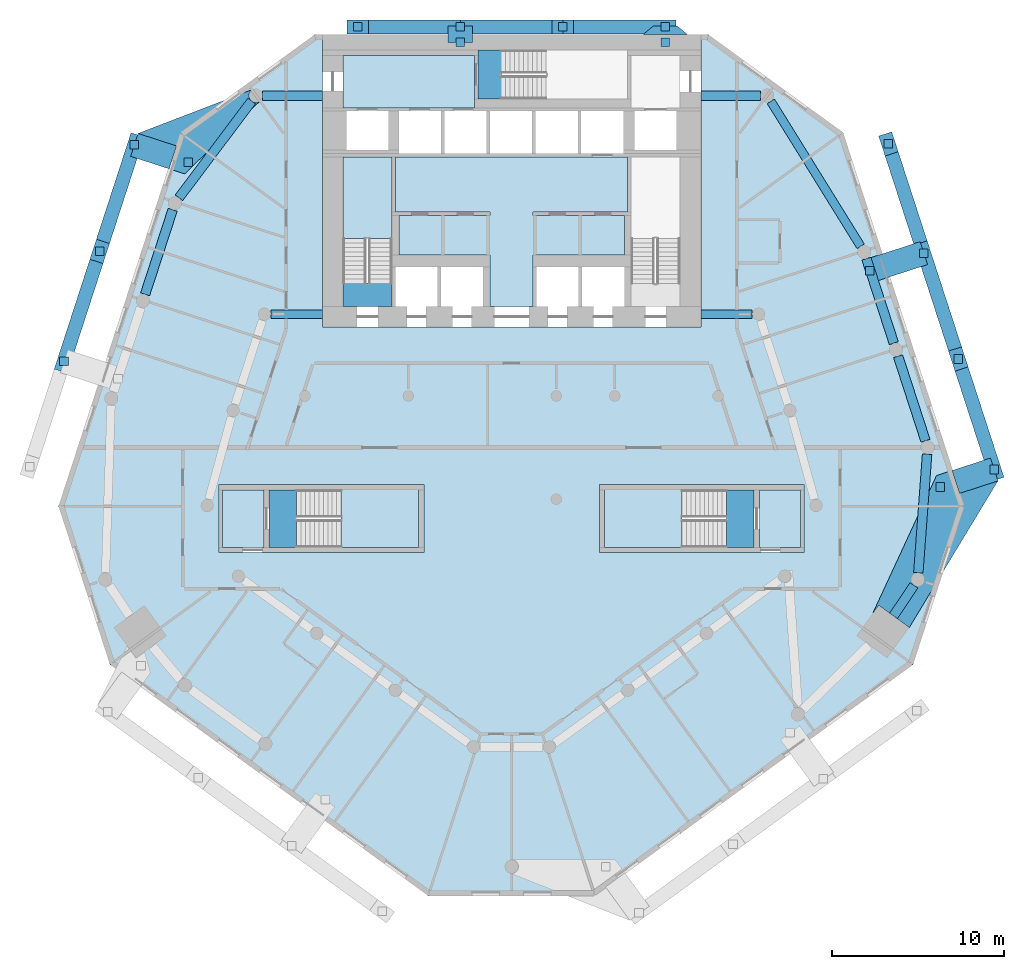
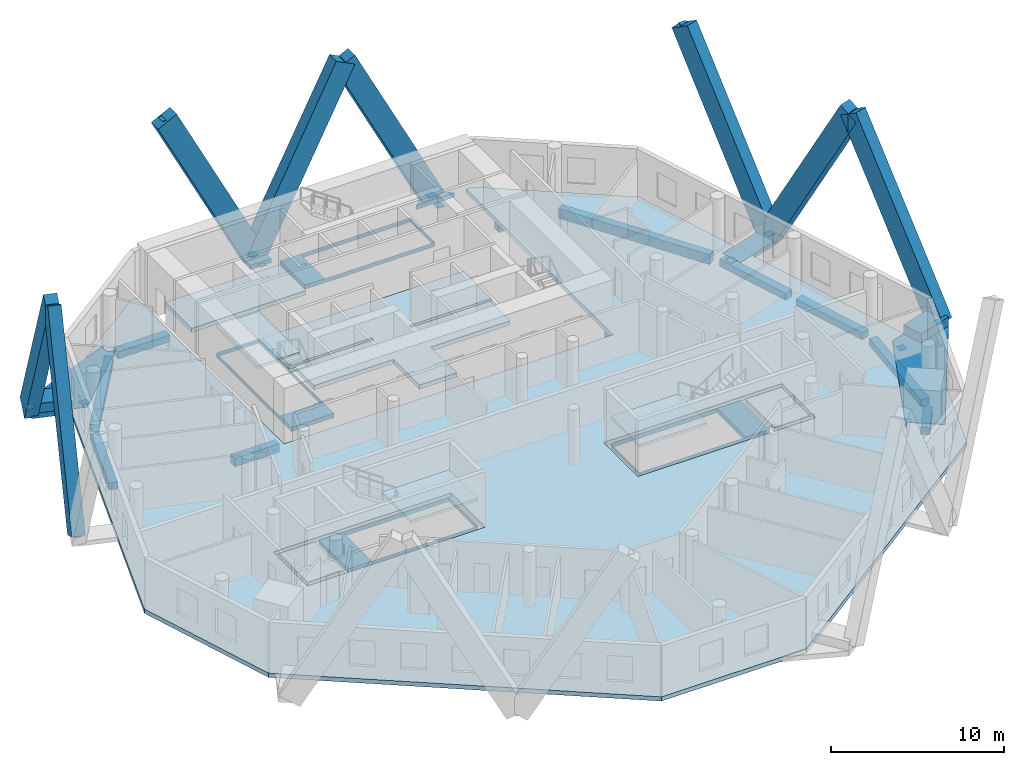
# One storey, part 2 of 10: 16 discrete accessories, 15 members, 12 slabs, 11 beams, 3 elements without a shape of their own.
"""IFC4 building model written with IfcOpenShell, lengths in metres."""

import ifcopenshell
import ifcopenshell.guid

model = None  # the IFC model being written
_history = None  # IfcOwnerHistory: only IFC2X3 demands one
_inside = {}  # id of a spatial element -> (the spatial element, [elements in it])
_under = {}  # id of a project, library or spatial element -> (it, [spatial elements below it])
_declared = {}  # id of a project -> (the project, [libraries it declares])
_typed = {}  # id of a type object -> (the type object, [elements of that type])
_made_of = {}  # id of a material, layer set ... -> (it, [elements and type objects made of it])


def new_model(schema):
    """Start an empty IFC model of exactly this schema.

    Asked for "IFC4X3", IfcOpenShell would pick the latest addendum, in which some entities
    have other attributes; the version numbers below select the first issue.
    IFC2X3 requires an IfcOwnerHistory on every rooted entity: one is made here for all.
    """
    global model, _history
    if schema == "IFC4X3":
        model = ifcopenshell.file(schema_version=(4, 3, 0, 0))
    else:
        model = ifcopenshell.file(schema=schema)
    _inside.clear()
    _under.clear()
    _declared.clear()
    _typed.clear()
    _made_of.clear()
    _history = None
    if model.schema == "IFC2X3":
        org = make("IfcOrganization", Name="unknown")
        user = make(
            "IfcPersonAndOrganization",
            ThePerson=make("IfcPerson", FamilyName="unknown"),
            TheOrganization=org,
        )
        app = make(
            "IfcApplication",
            ApplicationDeveloper=org,
            Version="unknown",
            ApplicationFullName="unknown",
            ApplicationIdentifier="unknown",
        )
        _history = make(
            "IfcOwnerHistory",
            OwningUser=user,
            OwningApplication=app,
            ChangeAction="ADDED",
            CreationDate=0,
        )
    return model


def make(cls, **values):
    """One entity of the class cls with the attributes given. An attribute that is None is left unset."""
    return model.create_entity(
        cls, **{name: value for name, value in values.items() if value is not None}
    )


def rooted(cls, **values):
    """An entity with a GlobalId (a new one), such as an element, a storey or a relation."""
    return make(cls, GlobalId=ifcopenshell.guid.new(), OwnerHistory=_history, **values)


def si_unit(unit_type, name, prefix=None):
    """IfcSIUnit, for example si_unit("LENGTHUNIT", "METRE", prefix="MILLI")."""
    return make("IfcSIUnit", UnitType=unit_type, Prefix=prefix, Name=name)


def assignment(units):
    """IfcUnitAssignment: the units of a project."""
    return None if units is None else make("IfcUnitAssignment", Units=units)


def point(xyz):
    """IfcCartesianPoint."""
    return None if xyz is None else make("IfcCartesianPoint", Coordinates=xyz)


def direction(xyz):
    """IfcDirection."""
    return None if xyz is None else make("IfcDirection", DirectionRatios=xyz)


def frame(location, z_axis=None, x_axis=None):
    """IfcAxis2Placement3D, a coordinate frame: its origin and axes. An axis left out is left unset."""
    return make(
        "IfcAxis2Placement3D",
        Location=point(location),
        Axis=direction(z_axis),
        RefDirection=direction(x_axis),
    )


def frame_2d(location, x_axis=None):
    """IfcAxis2Placement2D, a coordinate frame in the plane: its origin and x axis."""
    return make(
        "IfcAxis2Placement2D", Location=point(location), RefDirection=direction(x_axis)
    )


def origin():
    """The frame at (0, 0, 0) with its axes left unset."""
    return frame((0.0, 0.0, 0.0))


def origin_2d():
    """The frame at (0, 0) in the plane with its x axis left unset."""
    return frame_2d((0.0, 0.0))


def place(relative_to, where):
    """IfcLocalPlacement: puts the frame where relative to a parent placement (None: the world)."""
    return make(
        "IfcLocalPlacement", PlacementRelTo=relative_to, RelativePlacement=where
    )


def context(
    kind, dimensions, precision=None, world=None, true_north=None, identifier=None
):
    """IfcGeometricRepresentationContext, for example the 3D "Model" context."""
    return make(
        "IfcGeometricRepresentationContext",
        ContextIdentifier=identifier,
        ContextType=kind,
        CoordinateSpaceDimension=dimensions,
        Precision=precision,
        WorldCoordinateSystem=world,
        TrueNorth=true_north,
    )


def subcontext(parent, identifier, kind, view, scale=None):
    """IfcGeometricRepresentationSubContext, for example "Body" below "Model"."""
    return make(
        "IfcGeometricRepresentationSubContext",
        ContextIdentifier=identifier,
        ContextType=kind,
        ParentContext=parent,
        TargetScale=scale,
        TargetView=view,
    )


def project(units=None, contexts=None):
    """IfcProject with its units and contexts."""
    return rooted(
        "IfcProject",
        Name="project",
        RepresentationContexts=contexts,
        UnitsInContext=assignment(units),
    )


def spatial(cls, under=None, at=None, **own):
    """A site, building, storey or space (cls), placed at a placement, below another one or the project."""
    s = rooted(cls, ObjectPlacement=at, **own)
    if under is not None:
        _under.setdefault(under.id(), (under, []))[1].append(s)
    return s


def polyline(points):
    """IfcPolyline through the points."""
    return make("IfcPolyline", Points=[point(p) for p in points])


def profile(cls, at=None, kind="AREA", **sizes):
    """A parametric profile (cls). Its sizes go by their IFC names, for example OverallWidth=200.0."""
    return make(cls, ProfileType=kind, Position=at, **sizes)


def rectangle(**sizes):
    """IfcRectangleProfileDef."""
    return profile("IfcRectangleProfileDef", **sizes)


def outline(outer, holes=None, kind="AREA"):
    """IfcArbitraryClosedProfileDef: a profile drawn as a closed curve; with holes, ...WithVoids."""
    if holes is None:
        return make("IfcArbitraryClosedProfileDef", ProfileType=kind, OuterCurve=outer)
    return make(
        "IfcArbitraryProfileDefWithVoids",
        ProfileType=kind,
        OuterCurve=outer,
        InnerCurves=holes,
    )


def extrude(swept, where, along, depth):
    """IfcExtrudedAreaSolid: the profile swept, set in the frame where, extruded along a direction by depth."""
    return make(
        "IfcExtrudedAreaSolid",
        SweptArea=swept,
        Position=where,
        ExtrudedDirection=direction(along),
        Depth=depth,
    )


def shape(context_of_items, identifier, shape_type, items):
    """IfcShapeRepresentation: the items that make up one representation, for example the "Body"."""
    return make(
        "IfcShapeRepresentation",
        ContextOfItems=context_of_items,
        RepresentationIdentifier=identifier,
        RepresentationType=shape_type,
        Items=items,
    )


def material(Name=None, Category=None):
    """IfcMaterial."""
    return make("IfcMaterial", Name=Name, Category=Category)


def layer(
    of_material, thickness, ventilated=None, Name=None, Category=None, Priority=None
):
    """IfcMaterialLayer: one layer of a wall or slab, of a material (None: an air gap)."""
    return make(
        "IfcMaterialLayer",
        Material=of_material,
        LayerThickness=thickness,
        IsVentilated=ventilated,
        Name=Name,
        Category=Category,
        Priority=Priority,
    )


def layer_set(layers, Name=None):
    """IfcMaterialLayerSet."""
    return make("IfcMaterialLayerSet", MaterialLayers=layers, LayerSetName=Name)


def material_profile(
    of_material, cross_section, Name=None, Category=None, Priority=None
):
    """IfcMaterialProfile: a cross section and its material."""
    return make(
        "IfcMaterialProfile",
        Name=Name,
        Material=of_material,
        Profile=cross_section,
        Priority=Priority,
        Category=Category,
    )


def profile_set(profiles, Name=None, composite=None):
    """IfcMaterialProfileSet."""
    return make(
        "IfcMaterialProfileSet",
        Name=Name,
        MaterialProfiles=profiles,
        CompositeProfile=composite,
    )


def made_of(thing, what):
    """Note that an element or type object is made of a material, layer set ...; save() writes the relation."""
    if what is not None:
        _made_of.setdefault(what.id(), (what, []))[1].append(thing)
    return thing


def type_object(cls, material=None, **own):
    """A type object (cls), such as IfcWallType, which elements share."""
    return made_of(rooted(cls, **own), material)


def element(
    cls,
    number,
    at=None,
    inside=None,
    cuts=None,
    type_object=None,
    material=None,
    context=None,
    identifier="Body",
    shape_type=None,
    held_by="IfcProductDefinitionShape",
    body=None,
    shapes=None,
    **own,
):
    """One element of the class cls, such as IfcWall. Its Tag is "e" and its number.

    at: its placement. inside: the storey or other place that contains it. cuts: it is an
    opening in that element (IfcRelVoidsElement). A single representation is given by context,
    identifier, shape_type and body (its items); several are given by shapes. held_by: the class
    of the entity that holds the representations. save() writes the other relations.
    """
    e = rooted(cls, Tag="e%d" % number, ObjectPlacement=at, **own)
    if body is not None:
        shapes = [shape(context, identifier, shape_type, body)]
    if shapes is not None:
        e.Representation = make(held_by, Representations=shapes)
    if inside is not None:
        _inside.setdefault(inside.id(), (inside, []))[1].append(e)
    if cuts is not None:
        rooted(
            "IfcRelVoidsElement", RelatingBuildingElement=cuts, RelatedOpeningElement=e
        )
    if type_object is not None:
        _typed.setdefault(type_object.id(), (type_object, []))[1].append(e)
    return made_of(e, material)


def aggregate(whole, parts):
    """IfcRelAggregates: a whole, such as a stair, and the parts it consists of."""
    return rooted("IfcRelAggregates", RelatingObject=whole, RelatedObjects=parts)


def save(model, path):
    """Write the relations noted so far, then the file.

    IfcRelAggregates (storeys below a building ...), IfcRelContainedInSpatialStructure (elements
    in a storey), IfcRelDefinesByType, IfcRelAssociatesMaterial and IfcRelDeclares: one each for
    every whole, place, type object, material and project.
    """
    for whole, parts in _under.values():
        aggregate(whole, parts)
    for where, things in _inside.values():
        rooted(
            "IfcRelContainedInSpatialStructure",
            RelatedElements=things,
            RelatingStructure=where,
        )
    for kind, things in _typed.values():
        rooted("IfcRelDefinesByType", RelatedObjects=things, RelatingType=kind)
    for what, things in _made_of.values():
        rooted("IfcRelAssociatesMaterial", RelatedObjects=things, RelatingMaterial=what)
    for by, libraries in _declared.values():
        rooted("IfcRelDeclares", RelatingContext=by, RelatedDefinitions=libraries)
    model.write(path)


model = new_model("IFC4")

# Units and contexts
model_context = context("Model", 3, precision=1e-05, world=origin(), true_north=direction((0.0, 1.0)))
body_context = subcontext(model_context, "Body", "Model", "MODEL_VIEW")
ifc_project = project(units=[si_unit("LENGTHUNIT", "METRE"), si_unit("AREAUNIT", "SQUARE_METRE"), si_unit("VOLUMEUNIT", "CUBIC_METRE"), si_unit("PLANEANGLEUNIT", "RADIAN"), si_unit("MASSUNIT", "GRAM", prefix="KILO")], contexts=[model_context])

# Site, building, storey
site_placement = place(None, origin())
site = spatial("IfcSite", under=ifc_project, at=site_placement, CompositionType="ELEMENT")
building_placement = place(site_placement, origin())
building = spatial("IfcBuilding", under=site, at=building_placement, Name="White Candle Pilgrim Tower", CompositionType="ELEMENT")
storey_placement = place(building_placement, frame((0.0, 0.0, 42.89990234375)))
storey = spatial("IfcBuildingStorey", under=building, at=storey_placement, Name="L07", CompositionType="ELEMENT", Elevation=42.89990234375)

# Member
ifc_material_1 = material(Name="Concrete C80/95, white", Category="concrete")
ifc_material_profile_1 = material_profile(ifc_material_1, rectangle(XDim=0.800048828125, YDim=1.39990234375, at=origin_2d()), Name="RC-DG 800x1400")
ifc_profile_set_1 = profile_set([ifc_material_profile_1], Name="Concrete C80/95, white")
member_type_1 = type_object("IfcMemberType", Name="Exoskeleton diagonal RC-DG 800x1400 C80/95", PredefinedType="BRACE", material=ifc_profile_set_1)
member_1_placement = place(storey_placement, frame((78.93701171875, 88.449951171875, 0.0), z_axis=(-0.453776473678, 0.0, 0.891115543539), x_axis=(0.0, -1.0, 0.0)))
member_1 = element("IfcMember", 1, at=member_1_placement, inside=storey, type_object=member_type_1, Name="Exoskeleton diagonal EX001", PredefinedType="BRACE", context=body_context, shape_type="SweptSolid", body=[
    extrude(rectangle(XDim=0.800048828125, YDim=1.39990234375, at=origin_2d()), origin(), (0.0, 0.0, 1.0), 13.1298828125),
])

member_2_placement = place(storey_placement, frame((67.02099609375, 88.449951171875, 0.0), z_axis=(0.453776473678, 0.0, 0.891115543539), x_axis=(0.0, 1.0, 0.0)))
member_2 = element("IfcMember", 2, at=member_2_placement, inside=storey, type_object=member_type_1, Name="Exoskeleton diagonal EX002", PredefinedType="BRACE", context=body_context, shape_type="SweptSolid", body=[
    extrude(rectangle(XDim=0.800048828125, YDim=1.39990234375, at=origin_2d()), origin(), (0.0, 0.0, 1.0), 13.1298828125),
])

member_3_placement = place(storey_placement, frame((67.02099609375, 88.449951171875, 0.0), z_axis=(-0.453776473678, 0.0, 0.891115543539), x_axis=(0.0, -1.0, 0.0)))
member_3 = element("IfcMember", 3, at=member_3_placement, inside=storey, type_object=member_type_1, Name="Exoskeleton diagonal EX003", PredefinedType="BRACE", context=body_context, shape_type="SweptSolid", body=[
    extrude(rectangle(XDim=0.800048828125, YDim=1.39990234375, at=origin_2d()), origin(), (0.0, 0.0, 1.0), 13.1298828125),
])

member_4_placement = place(storey_placement, frame((98.05126953125, 62.728515625, 0.0), z_axis=(-0.154440795121, 0.475287254453, 0.866169767746), x_axis=(-0.951050279648, -0.309036188143, 0.0)))
member_4 = element("IfcMember", 4, at=member_4_placement, inside=storey, type_object=member_type_1, Name="Exoskeleton diagonal EX013", PredefinedType="BRACE", context=body_context, shape_type="SweptSolid", body=[
    extrude(rectangle(XDim=0.800048828125, YDim=1.39990234375, at=origin_2d()), origin(), (0.0, 0.0, 1.0), 13.508056640625),
])

member_5_placement = place(storey_placement, frame((93.965087890625, 75.304443359375, 0.0), z_axis=(0.149575631724, -0.460375973911, 0.875032052579), x_axis=(0.95106233847, 0.308999074988, 0.0)))
member_5 = element("IfcMember", 5, at=member_5_placement, inside=storey, type_object=member_type_1, Name="Exoskeleton diagonal EX014", PredefinedType="BRACE", context=body_context, shape_type="SweptSolid", body=[
    extrude(rectangle(XDim=0.800048828125, YDim=1.39990234375, at=origin_2d()), origin(), (0.0, 0.0, 1.0), 13.37109375),
])

member_6_placement = place(storey_placement, frame((93.965087890625, 75.304443359375, 0.0), z_axis=(-0.153076572137, 0.471120566776, 0.868684623223), x_axis=(-0.951056385362, -0.309017397345, 0.0)))
member_6 = element("IfcMember", 6, at=member_6_placement, inside=storey, type_object=member_type_1, Name="Exoskeleton diagonal EX015", PredefinedType="BRACE", context=body_context, shape_type="SweptSolid", body=[
    extrude(rectangle(XDim=0.800048828125, YDim=1.39990234375, at=origin_2d()), origin(), (0.0, 0.0, 1.0), 13.46875),
])

member_7_placement = place(storey_placement, frame((48.078125, 81.59228515625, 0.0), z_axis=(-0.150275551639, -0.462495710128, 0.873793440518), x_axis=(0.951055557798, -0.30901994431, 0.0)))
member_7 = element("IfcMember", 7, at=member_7_placement, inside=storey, type_object=member_type_1, Name="Exoskeleton diagonal EX049", PredefinedType="BRACE", context=body_context, shape_type="SweptSolid", body=[
    extrude(rectangle(XDim=0.800048828125, YDim=1.39990234375, at=origin_2d()), origin(), (0.0, 0.0, 1.0), 13.39013671875),
])

member_8_placement = place(storey_placement, frame((43.991943359375, 69.0166015625, 0.0), z_axis=(0.153760163434, 0.473208441767, 0.867428142719), x_axis=(-0.951053314676, 0.309026847773, 0.0)))
member_8 = element("IfcMember", 8, at=member_8_placement, inside=storey, type_object=member_type_1, Name="Exoskeleton diagonal EX050", PredefinedType="BRACE", context=body_context, shape_type="SweptSolid", body=[
    extrude(rectangle(XDim=0.800048828125, YDim=1.39990234375, at=origin_2d()), origin(), (0.0, 0.0, 1.0), 13.48828125),
])

ifc_material_2 = material(Name="Concrete C70/85, white", Category="concrete")
ifc_layer_1 = layer(ifc_material_2, 0.300048828125)
ifc_layer_set_1 = layer_set([ifc_layer_1], Name="Node tie strut 3300x1400x300 C70/85")
member_type_2 = type_object("IfcMemberType", Name="Node tie strut 3300x1400x300 C70/85", PredefinedType="STRUT", material=ifc_layer_set_1)
member_9_placement = place(storey_placement, frame((0.0, 0.0, -0.349853515625)))
member_9 = element("IfcMember", 9, at=member_9_placement, inside=storey, type_object=member_type_2, Name="Node tie strut NC001", PredefinedType="STRUT", context=body_context, shape_type="SweptSolid", body=[
    extrude(outline(polyline([(93.116455078125, 53.54345703125), (98.267578125, 62.062744140625), (97.8349609375, 63.394287109375), (94.6962890625, 62.37451171875), (90.98583984375, 54.353515625), (91.336669921875, 54.83642578125), (93.116455078125, 53.54345703125)])), origin(), (0.0, 0.0, 1.0), 0.349853515625),
])

member_10_placement = place(storey_placement, origin())
element("IfcMember", 10, at=member_10_placement, inside=storey, type_object=member_type_2, Name="Node tie strut NC001", PredefinedType="STRUT", context=body_context, shape_type="SweptSolid", body=[
    extrude(outline(polyline([(96.032470703125, 61.336669921875), (98.267578125, 62.062744140625), (97.8349609375, 63.394287109375), (95.599853515625, 62.668212890625), (96.032470703125, 61.336669921875)])), origin(), (0.0, 0.0, 1.0), 0.650146484375),
])

member_11_placement = place(storey_placement, frame((92.395751953125, 74.794677734375, -0.2998046875), z_axis=(0.0, 0.0, 1.0), x_axis=(-0.309016994375, 0.951056516295, 0.0)))
member_11 = element("IfcMember", 11, at=member_11_placement, inside=storey, type_object=member_type_2, Name="Node tie strut NC002", PredefinedType="STRUT", context=body_context, shape_type="SweptSolid", body=[
    extrude(rectangle(XDim=1.39990234375, YDim=3.300048828125, at=origin_2d()), origin(), (0.0, 0.0, 1.0), 0.300048828125),
])

member_12_placement = place(storey_placement, frame((0.0, 0.0, -0.349853515625)))
member_12 = element("IfcMember", 12, at=member_12_placement, inside=storey, type_object=member_type_2, Name="Node tie strut NC009", PredefinedType="STRUT", context=body_context, shape_type="SweptSolid", body=[
    extrude(outline(polyline([(51.000244140625, 79.906982421875), (55.4228515625, 84.17724609375), (55.40380859375, 84.1591796875), (55.383544921875, 84.142578125), (55.3623046875, 84.12744140625), (55.340087890625, 84.113525390625), (55.31689453125, 84.101318359375), (55.293212890625, 84.09033203125), (55.2685546875, 84.081298828125), (55.243408203125, 84.073486328125), (55.218017578125, 84.067626953125), (55.192138671875, 84.0634765625), (55.166259765625, 84.060791015625), (55.139892578125, 84.06005859375), (55.11376953125, 84.060791015625), (55.087890625, 84.0634765625), (55.06201171875, 84.067626953125), (55.03662109375, 84.073486328125), (55.011474609375, 84.081298828125), (54.98681640625, 84.09033203125), (54.963134765625, 84.101318359375), (54.93994140625, 84.113525390625), (54.917724609375, 84.12744140625), (54.896484375, 84.142578125), (54.876220703125, 84.1591796875), (54.857177734375, 84.17724609375), (54.83935546875, 84.1962890625), (54.82275390625, 84.216552734375), (54.807373046875, 84.23779296875), (54.793701171875, 84.260009765625), (54.78125, 84.283203125), (54.7705078125, 84.306884765625), (54.76123046875, 84.331298828125), (54.753662109375, 84.3564453125), (54.747802734375, 84.382080078125), (54.743408203125, 84.40771484375), (54.740966796875, 84.433837890625), (54.739990234375, 84.4599609375), (54.740966796875, 84.486083984375), (54.743408203125, 84.51220703125), (54.747802734375, 84.5380859375), (54.753662109375, 84.5634765625), (54.76123046875, 84.588623046875), (54.7705078125, 84.613037109375), (54.78125, 84.636962890625), (54.793701171875, 84.659912109375), (54.807373046875, 84.68212890625), (54.82275390625, 84.70361328125), (54.83935546875, 84.7236328125), (54.857177734375, 84.742919921875), (54.876220703125, 84.7607421875), (54.896484375, 84.77734375), (54.917724609375, 84.79248046875), (54.93994140625, 84.806396484375), (54.963134765625, 84.818603515625), (54.98681640625, 84.82958984375), (48.29443359375, 82.25830078125), (47.86181640625, 80.9267578125), (51.000244140625, 79.906982421875)])), origin(), (0.0, 0.0, 1.0), 0.349853515625),
])

member_13_placement = place(storey_placement, origin())
element("IfcMember", 13, at=member_13_placement, inside=storey, type_object=member_type_2, Name="Node tie strut NC009", PredefinedType="STRUT", context=body_context, shape_type="SweptSolid", body=[
    extrude(outline(polyline([(50.0966796875, 80.200439453125), (50.529296875, 81.531982421875), (48.29443359375, 82.25830078125), (47.86181640625, 80.9267578125), (50.0966796875, 80.200439453125)])), origin(), (0.0, 0.0, 1.0), 0.650146484375),
])

ifc_layer_2 = layer(ifc_material_2, 0.300048828125)
ifc_layer_set_2 = layer_set([ifc_layer_2], Name="Node tie strut 950x1400x300 C70/85")
member_type_3 = type_object("IfcMemberType", Name="Node tie strut 950x1400x300 C70/85", PredefinedType="STRUT", material=ifc_layer_set_2)
member_14_placement = place(storey_placement, frame((0.0, 0.0, -0.2998046875)))
member_14 = element("IfcMember", 14, at=member_14_placement, inside=storey, type_object=member_type_3, Name="Node tie strut NC003", PredefinedType="STRUT", context=body_context, shape_type="SweptSolid", body=[
    extrude(outline(polyline([(77.636962890625, 88.0), (80.237060546875, 88.0), (79.636962890625, 88.5), (78.237060546875, 88.5), (77.636962890625, 88.0)])), origin(), (0.0, 0.0, 1.0), 0.2998046875),
])

member_15_placement = place(storey_placement, frame((67.02099609375, 88.02490234375, -0.2998046875), z_axis=(0.0, 0.0, 1.0), x_axis=(-1.0, 0.0, 0.0)))
member_15 = element("IfcMember", 15, at=member_15_placement, inside=storey, type_object=member_type_3, Name="Node tie strut NC004", PredefinedType="STRUT", context=body_context, shape_type="SweptSolid", body=[
    extrude(rectangle(XDim=1.39990234375, YDim=0.949951171875, at=origin_2d()), origin(), (0.0, 0.0, 1.0), 0.300048828125),
])

# Beams
ifc_material_3 = material(Name="Concrete C50/60", Category="concrete")
ifc_material_profile_2 = material_profile(ifc_material_3, rectangle(XDim=0.5, YDim=0.60009765625, at=origin_2d()), Name="RC-BM 500x600")
ifc_profile_set_2 = profile_set([ifc_material_profile_2], Name="Concrete C50/60")
beam_type_1 = type_object("IfcBeamType", Name="Ring beam RC-BM 500x600 C50/60", PredefinedType="BEAM", material=ifc_profile_set_2)
for number, where, z_axis, x_axis, name in (
    (16, (83.985107421875, 71.760009765625, -0.599853515625), (-1.0, 0.0, 0.0), (0.0, -1.0, 0.0), "L07 ring beam R10"),
    (17, (56.014892578125, 71.760009765625, -0.599853515625), (1.0, 0.0, 0.0), (0.0, 1.0, 0.0), "L07 ring beam R11"),
):
    element("IfcBeam", number, at=place(storey_placement, frame(where, z_axis=z_axis, x_axis=x_axis)), inside=storey, type_object=beam_type_1, Name=name, PredefinedType="BEAM", context=body_context, shape_type="SweptSolid", body=[
        extrude(rectangle(XDim=0.5, YDim=0.60009765625, at=origin_2d()), origin(), (0.0, 0.0, 1.0), 2.985107421875),
    ])
ifc_material_profile_3 = material_profile(ifc_material_3, rectangle(XDim=0.5, YDim=0.699951171875, at=origin_2d()), Name="RC-BM 500x700")
ifc_profile_set_3 = profile_set([ifc_material_profile_3], Name="Concrete C50/60")
beam_type_2 = type_object("IfcBeamType", Name="Spandrel beam RC-BM 500x700 C50/60", PredefinedType="BEAM", material=ifc_profile_set_3)
beam_1_placement = place(storey_placement, frame((90.289306640625, 75.69970703125, -0.64990234375), z_axis=(-0.526800809553, 0.849988768781, 0.0), x_axis=(-0.849988768781, -0.526800809553, 0.0)))
element("IfcBeam", 18, at=beam_1_placement, inside=storey, type_object=beam_type_2, Name="L07 spandrel beam T10", PredefinedType="BEAM", context=body_context, shape_type="SweptSolid", body=[
    extrude(rectangle(XDim=0.5, YDim=0.699951171875, at=origin_2d()), origin(), (0.0, 0.0, 1.0), 9.906494140625),
])
ifc_material_profile_4 = material_profile(ifc_material_3, rectangle(XDim=0.550048828125, YDim=0.5, at=origin_2d()), Name="RC-BM 550x500")
ifc_profile_set_4 = profile_set([ifc_material_profile_4], Name="Concrete C50/60")
beam_type_3 = type_object("IfcBeamType", Name="Spandrel beam RC-BM 550x500 C50/60", PredefinedType="BEAM", material=ifc_profile_set_4)
beam_2_placement = place(storey_placement, frame((92.192626953125, 54.214599609375, -0.5498046875), z_axis=(0.556641005169, 0.830753147069, 0.0), x_axis=(-0.830753147069, 0.556641005169, 0.0)))
element("IfcBeam", 19, at=beam_2_placement, inside=storey, type_object=beam_type_3, Name="L07 spandrel beam T06", PredefinedType="BEAM", context=body_context, shape_type="SweptSolid", body=[
    extrude(rectangle(XDim=0.550048828125, YDim=0.5, at=origin_2d()), origin(), (0.0, 0.0, 1.0), 2.146484375),
])
beam_3_placement = place(storey_placement, frame((93.6396484375, 56.728759765625, -0.5498046875), z_axis=(0.073900311906, 0.99726563357, 0.0), x_axis=(-0.99726563357, 0.073900311906, 0.0)))
element("IfcBeam", 20, at=beam_3_placement, inside=storey, type_object=beam_type_3, Name="L07 spandrel beam T07", PredefinedType="BEAM", context=body_context, shape_type="SweptSolid", body=[
    extrude(rectangle(XDim=0.550048828125, YDim=0.5, at=origin_2d()), origin(), (0.0, 0.0, 1.0), 6.9111328125),
])
for number, where, z_axis, x_axis, name in (
    (21, (94.056640625, 64.400390625, -0.5498046875), (-0.308682827488, 0.951165028801, 0.0), (-0.951165028801, -0.308682827488, 0.0), "L07 spandrel beam T08"),
    (22, (92.216552734375, 70.0703125, -0.5498046875), (-0.308682827488, 0.951165028801, 0.0), (-0.951165028801, -0.308682827488, 0.0), "L07 spandrel beam T09"),
):
    element("IfcBeam", number, at=place(storey_placement, frame(where, z_axis=z_axis, x_axis=x_axis)), inside=storey, type_object=beam_type_3, Name=name, PredefinedType="BEAM", context=body_context, shape_type="SweptSolid", body=[
        extrude(rectangle(XDim=0.550048828125, YDim=0.5, at=origin_2d()), origin(), (0.0, 0.0, 1.0), 5.161376953125),
    ])
for number, where, z_axis, x_axis, name in (
    (23, (84.4599609375, 84.4599609375, -0.5498046875), (-1.0, 0.0, 0.0), (0.0, -1.0, 0.0), "L07 spandrel beam T11"),
    (24, (55.5400390625, 84.4599609375, -0.5498046875), (1.0, 0.0, 0.0), (0.0, 1.0, 0.0), "L07 spandrel beam T12"),
):
    element("IfcBeam", number, at=place(storey_placement, frame(where, z_axis=z_axis, x_axis=x_axis)), inside=storey, type_object=beam_type_3, Name=name, PredefinedType="BEAM", context=body_context, shape_type="SweptSolid", body=[
        extrude(rectangle(XDim=0.550048828125, YDim=0.5, at=origin_2d()), origin(), (0.0, 0.0, 1.0), 3.4599609375),
    ])
beam_4_placement = place(storey_placement, frame((54.899658203125, 84.140380859375, -0.5498046875), z_axis=(-0.601237643972, -0.79907026942, 0.0), x_axis=(0.79907026942, -0.601237643972, 0.0)))
element("IfcBeam", 25, at=beam_4_placement, inside=storey, type_object=beam_type_3, Name="L07 spandrel beam T13", PredefinedType="BEAM", context=body_context, shape_type="SweptSolid", body=[
    extrude(rectangle(XDim=0.550048828125, YDim=0.5, at=origin_2d()), origin(), (0.0, 0.0, 1.0), 7.0341796875),
])
beam_5_placement = place(storey_placement, frame((50.305908203125, 77.81982421875, -0.5498046875), z_axis=(-0.310165508273, -0.950682574511, 0.0), x_axis=(0.950682574511, -0.310165508273, 0.0)))
element("IfcBeam", 26, at=beam_5_placement, inside=storey, type_object=beam_type_3, Name="L07 spandrel beam T14", PredefinedType="BEAM", context=body_context, shape_type="SweptSolid", body=[
    extrude(rectangle(XDim=0.550048828125, YDim=0.5, at=origin_2d()), origin(), (0.0, 0.0, 1.0), 5.164306640625),
])

# Slabs
ifc_material_4 = material(Name="Concrete C40/50", Category="concrete")
ifc_layer_3 = layer(ifc_material_4, 0.300048828125)
ifc_layer_set_3 = layer_set([ifc_layer_3], Name="Core floor slab 300 mm Concrete C40/50")
slab_type_1 = type_object("IfcSlabType", Name="Core floor slab 300 mm Concrete C40/50", PredefinedType="FLOOR", material=ifc_layer_set_3)
slab_1_placement = place(storey_placement, frame((0.0, 0.0, -0.2998046875)))
element("IfcSlab", 27, at=slab_1_placement, inside=storey, type_object=slab_type_1, Name="CF-L07-01", PredefinedType="FLOOR", context=body_context, shape_type="SweptSolid", body=[
    extrude(outline(polyline([(55.60009765625, 58.199951171875), (53.199951171875, 58.199951171875), (53.199951171875, 61.550048828125), (55.60009765625, 61.550048828125), (55.60009765625, 58.199951171875)])), origin(), (0.0, 0.0, 1.0), 0.2998046875),
])
slab_2_placement = place(storey_placement, frame((0.0, 0.0, -0.2998046875)))
element("IfcSlab", 28, at=slab_2_placement, inside=storey, type_object=slab_type_1, Name="CF-L07-02", PredefinedType="FLOOR", context=body_context, shape_type="SweptSolid", body=[
    extrude(outline(polyline([(55.89990234375, 58.199951171875), (55.89990234375, 61.550048828125), (64.60009765625, 61.550048828125), (64.60009765625, 58.199951171875), (55.89990234375, 58.199951171875)]), holes=[polyline([(57.501953125, 61.548095703125), (57.501953125, 58.201904296875), (64.597900390625, 58.201904296875), (64.597900390625, 61.548095703125), (57.501953125, 61.548095703125)])]), origin(), (0.0, 0.0, 1.0), 0.2998046875),
])
slab_3_placement = place(storey_placement, frame((0.0, 0.0, -0.2998046875)))
element("IfcSlab", 29, at=slab_3_placement, inside=storey, type_object=slab_type_1, Name="CF-L07-03", PredefinedType="FLOOR", context=body_context, shape_type="SweptSolid", body=[
    extrude(outline(polyline([(75.39990234375, 58.199951171875), (75.39990234375, 61.550048828125), (84.10009765625, 61.550048828125), (84.10009765625, 58.199951171875), (75.39990234375, 58.199951171875)]), holes=[polyline([(82.498046875, 58.201904296875), (82.498046875, 61.548095703125), (75.402099609375, 61.548095703125), (75.402099609375, 58.201904296875), (82.498046875, 58.201904296875)])]), origin(), (0.0, 0.0, 1.0), 0.2998046875),
])
slab_4_placement = place(storey_placement, frame((0.0, 0.0, -0.2998046875)))
element("IfcSlab", 30, at=slab_4_placement, inside=storey, type_object=slab_type_1, Name="CF-L07-04", PredefinedType="FLOOR", context=body_context, shape_type="SweptSolid", body=[
    extrude(outline(polyline([(86.800048828125, 58.199951171875), (84.39990234375, 58.199951171875), (84.39990234375, 61.550048828125), (86.800048828125, 61.550048828125), (86.800048828125, 58.199951171875)])), origin(), (0.0, 0.0, 1.0), 0.2998046875),
])
slab_5_placement = place(storey_placement, frame((0.0, 0.0, -0.2998046875)))
element("IfcSlab", 31, at=slab_5_placement, inside=storey, type_object=slab_type_1, Name="CF-L07-05", PredefinedType="FLOOR", context=body_context, shape_type="SweptSolid", body=[
    extrude(outline(polyline([(76.75, 87.10009765625), (76.75, 86.800048828125), (76.75, 84.25), (68.050048828125, 84.25), (68.050048828125, 86.800048828125), (68.050048828125, 87.10009765625), (76.75, 87.10009765625)]), holes=[polyline([(69.402099609375, 87.097900390625), (69.402099609375, 84.251953125), (76.748046875, 84.251953125), (76.748046875, 87.097900390625), (69.402099609375, 87.097900390625)])]), origin(), (0.0, 0.0, 1.0), 0.2998046875),
])
slab_6_placement = place(storey_placement, frame((0.0, 0.0, -0.2998046875)))
element("IfcSlab", 32, at=slab_6_placement, inside=storey, type_object=slab_type_1, Name="CF-L07-08", PredefinedType="FLOOR", context=body_context, shape_type="SweptSolid", body=[
    extrude(outline(polyline([(68.75, 72.199951171875), (68.75, 74.5), (68.75, 75.199951171875), (63.449951171875, 75.199951171875), (63.449951171875, 77.5), (68.75, 77.5), (68.75, 77.699951171875), (63.25, 77.699951171875), (63.25, 80.89990234375), (76.75, 80.89990234375), (76.75, 77.699951171875), (71.25, 77.699951171875), (71.25, 77.5), (76.550048828125, 77.5), (76.550048828125, 75.199951171875), (71.25, 75.199951171875), (71.25, 74.5), (71.25, 72.199951171875), (68.75, 72.199951171875)])), origin(), (0.0, 0.0, 1.0), 0.2998046875),
])
slab_7_placement = place(storey_placement, frame((0.0, 0.0, -0.2998046875)))
element("IfcSlab", 33, at=slab_7_placement, inside=storey, type_object=slab_type_1, Name="CF-L07-09", PredefinedType="FLOOR", context=body_context, shape_type="SweptSolid", body=[
    extrude(outline(polyline([(60.199951171875, 72.199951171875), (60.199951171875, 80.89990234375), (63.050048828125, 80.89990234375), (63.050048828125, 77.699951171875), (63.050048828125, 77.5), (63.050048828125, 75.199951171875), (63.050048828125, 74.5), (63.050048828125, 72.199951171875), (60.199951171875, 72.199951171875)]), holes=[polyline([(60.201904296875, 73.552001953125), (63.048095703125, 73.552001953125), (63.048095703125, 80.89794921875), (60.201904296875, 80.89794921875), (60.201904296875, 73.552001953125)])]), origin(), (0.0, 0.0, 1.0), 0.2998046875),
])
slab_8_placement = place(storey_placement, frame((0.0, 0.0, -0.2998046875)))
element("IfcSlab", 34, at=slab_8_placement, inside=storey, type_object=slab_type_1, Name="CF-L07-10", PredefinedType="FLOOR", context=body_context, shape_type="SweptSolid", body=[
    extrude(outline(polyline([(60.199951171875, 86.800048828125), (67.85009765625, 86.800048828125), (67.85009765625, 84.25), (67.85009765625, 83.75), (60.199951171875, 83.75), (60.199951171875, 86.800048828125)])), origin(), (0.0, 0.0, 1.0), 0.2998046875),
])
ifc_layer_4 = layer(ifc_material_4, 0.300048828125)
ifc_layer_set_4 = layer_set([ifc_layer_4], Name="Floor slab 300 REI 120")
slab_type_2 = type_object("IfcSlabType", Name="Floor slab 300 REI 120", PredefinedType="FLOOR", material=ifc_layer_set_4)
slab_9_placement = place(storey_placement, frame((0.0, 0.0, -0.2998046875)))
element("IfcSlab", 35, at=slab_9_placement, inside=storey, type_object=slab_type_2, Name="L07 floor slab", PredefinedType="FLOOR", context=body_context, shape_type="SweptSolid", body=[
    extrude(outline(polyline([(65.156494140625, 37.95458984375), (74.843505859375, 37.95458984375), (93.338134765625, 51.391845703125), (96.327392578125, 60.59130859375), (89.27099609375, 82.308349609375), (81.43701171875, 88.0), (81.0, 88.0), (81.0, 71.0), (59.0, 71.0), (59.0, 88.0), (58.56298828125, 88.0), (50.72900390625, 82.308349609375), (43.672607421875, 60.59130859375), (46.661865234375, 51.391845703125), (65.156494140625, 37.95458984375)]), holes=[polyline([(53.0, 57.89990234375), (53.0, 61.85009765625), (64.89990234375, 61.85009765625), (64.89990234375, 57.89990234375), (53.0, 57.89990234375)]), polyline([(75.10009765625, 57.89990234375), (75.10009765625, 61.85009765625), (87.0, 61.85009765625), (87.0, 57.89990234375), (75.10009765625, 57.89990234375)])]), origin(), (0.0, 0.0, 1.0), 0.2998046875),
])

# Stair, slab
stair_type_1 = type_object("IfcStairType", Name="Exit stair 1 flight width 1350 mm", PredefinedType="HALF_TURN_STAIR", material=ifc_material_4)
stair_1_placement = place(storey_placement, origin())
stair_1 = element("IfcStair", 36, at=stair_1_placement, inside=storey, type_object=stair_type_1, Name="L07 stair 1", PredefinedType="NOTDEFINED")
ifc_layer_5 = layer(ifc_material_4, 0.199951171875)
ifc_layer_set_5 = layer_set([ifc_layer_5], Name="Stair landing Concrete C40/50")
slab_type_3 = type_object("IfcSlabType", Name="Stair landing Concrete C40/50", PredefinedType="LANDING", material=ifc_layer_set_5)
slab_10_placement = place(storey_placement, frame((0.0, 0.0, 1.75)))
slab_10 = element("IfcSlab", 37, at=slab_10_placement, type_object=slab_type_3, Name="ST1 landing 1", PredefinedType="LANDING", context=body_context, shape_type="SweptSolid", body=[
    extrude(outline(polyline([(63.052001953125, 76.14794921875), (60.197998046875, 76.14794921875), (60.197998046875, 80.902099609375), (63.052001953125, 80.902099609375), (63.052001953125, 76.14794921875)])), origin(), (0.0, 0.0, 1.0), 0.2001953125),
])
aggregate(stair_1, [slab_10])

stair_type_2 = type_object("IfcStairType", Name="Exit stair 4 flight width 1600 mm", PredefinedType="HALF_TURN_STAIR", material=ifc_material_4)
stair_2_placement = place(storey_placement, origin())
stair_2 = element("IfcStair", 38, at=stair_2_placement, inside=storey, type_object=stair_type_2, Name="L07 stair 4", PredefinedType="NOTDEFINED")
slab_11_placement = place(storey_placement, frame((0.0, 0.0, 1.75)))
slab_11 = element("IfcSlab", 39, at=slab_11_placement, type_object=slab_type_3, Name="ST4 landing 1", PredefinedType="LANDING", context=body_context, shape_type="SweptSolid", body=[
    extrude(outline(polyline([(79.902099609375, 61.552001953125), (79.902099609375, 58.197998046875), (75.39794921875, 58.197998046875), (75.39794921875, 61.552001953125), (79.902099609375, 61.552001953125)])), origin(), (0.0, 0.0, 1.0), 0.2001953125),
])
aggregate(stair_2, [slab_11])

stair_type_3 = type_object("IfcStairType", Name="Exit stair 5 flight width 1600 mm", PredefinedType="HALF_TURN_STAIR", material=ifc_material_4)
stair_3_placement = place(storey_placement, origin())
stair_3 = element("IfcStair", 40, at=stair_3_placement, inside=storey, type_object=stair_type_3, Name="L07 stair 5", PredefinedType="NOTDEFINED")
slab_12_placement = place(storey_placement, frame((0.0, 0.0, 1.75)))
slab_12 = element("IfcSlab", 41, at=slab_12_placement, type_object=slab_type_3, Name="ST5 landing 1", PredefinedType="LANDING", context=body_context, shape_type="SweptSolid", body=[
    extrude(outline(polyline([(60.097900390625, 58.197998046875), (60.097900390625, 61.552001953125), (64.60205078125, 61.552001953125), (64.60205078125, 58.197998046875), (60.097900390625, 58.197998046875)])), origin(), (0.0, 0.0, 1.0), 0.2001953125),
])
aggregate(stair_3, [slab_12])

# Discrete accessory
ifc_material_5 = material(Name="Steel S355", Category="steel")
ifc_layer_6 = layer(ifc_material_5, 0.02490234375)
ifc_layer_set_6 = layer_set([ifc_layer_6], Name="Gusset plate 500x500x25 S355")
discrete_accessory_type = type_object("IfcDiscreteAccessoryType", Name="Gusset plate 500x500x25 S355", PredefinedType="BRACKET", material=ifc_layer_set_6)
discrete_accessory_1_placement = place(storey_placement, frame((78.93701171875, 88.449951171875, -0.012451171875), z_axis=(0.0, 0.0, 1.0), x_axis=(1.0, 0.0, 0.0)))
discrete_accessory_1 = element("IfcDiscreteAccessory", 42, at=discrete_accessory_1_placement, type_object=discrete_accessory_type, Name="Gusset plate 0001", PredefinedType="BRACKET", context=body_context, shape_type="SweptSolid", body=[
    extrude(rectangle(XDim=0.5, YDim=0.5, at=origin_2d()), origin(), (0.0, 0.0, 1.0), 0.02490234375),
])

placement = place(building_placement, frame((0.0, 0.0, 54.60009765625)))
discrete_accessory_2_placement = place(placement, frame((72.97900390625, 88.449951171875, -0.012451171875), z_axis=(0.0, 0.0, 1.0), x_axis=(1.0, 0.0, 0.0)))
discrete_accessory_2 = element("IfcDiscreteAccessory", 43, at=discrete_accessory_2_placement, type_object=discrete_accessory_type, Name="Gusset plate 0002", PredefinedType="BRACKET", context=body_context, shape_type="SweptSolid", body=[
    extrude(rectangle(XDim=0.5, YDim=0.5, at=origin_2d()), origin(), (0.0, 0.0, 1.0), 0.02490234375),
])

aggregate(member_1, [discrete_accessory_1, discrete_accessory_2])

discrete_accessory_3_placement = place(storey_placement, frame((67.02099609375, 88.449951171875, -0.012451171875), z_axis=(0.0, 0.0, 1.0), x_axis=(1.0, 0.0, 0.0)))
discrete_accessory_3 = element("IfcDiscreteAccessory", 44, at=discrete_accessory_3_placement, type_object=discrete_accessory_type, Name="Gusset plate 0003", PredefinedType="BRACKET", context=body_context, shape_type="SweptSolid", body=[
    extrude(rectangle(XDim=0.5, YDim=0.5, at=origin_2d()), origin(), (0.0, 0.0, 1.0), 0.02490234375),
])

aggregate(member_2, [discrete_accessory_3])

discrete_accessory_4_placement = place(placement, frame((61.06298828125, 88.449951171875, -0.012451171875), z_axis=(0.0, 0.0, 1.0), x_axis=(1.0, 0.0, 0.0)))
discrete_accessory_4 = element("IfcDiscreteAccessory", 45, at=discrete_accessory_4_placement, type_object=discrete_accessory_type, Name="Gusset plate 0004", PredefinedType="BRACKET", context=body_context, shape_type="SweptSolid", body=[
    extrude(rectangle(XDim=0.5, YDim=0.5, at=origin_2d()), origin(), (0.0, 0.0, 1.0), 0.02490234375),
])

aggregate(member_3, [discrete_accessory_4])

discrete_accessory_5_placement = place(storey_placement, frame((98.05126953125, 62.728515625, -0.012451171875), z_axis=(0.0, 0.0, 1.0), x_axis=(1.0, 0.0, 0.0)))
discrete_accessory_5 = element("IfcDiscreteAccessory", 46, at=discrete_accessory_5_placement, type_object=discrete_accessory_type, Name="Gusset plate 0011", PredefinedType="BRACKET", context=body_context, shape_type="SweptSolid", body=[
    extrude(rectangle(XDim=0.5, YDim=0.5, at=origin_2d()), origin(), (0.0, 0.0, 1.0), 0.02490234375),
])

discrete_accessory_6_placement = place(placement, frame((95.965087890625, 69.148681640625, -0.012451171875), z_axis=(0.0, 0.0, 1.0), x_axis=(1.0, 0.0, 0.0)))
discrete_accessory_6 = element("IfcDiscreteAccessory", 47, at=discrete_accessory_6_placement, type_object=discrete_accessory_type, Name="Gusset plate 0012", PredefinedType="BRACKET", context=body_context, shape_type="SweptSolid", body=[
    extrude(rectangle(XDim=0.5, YDim=0.5, at=origin_2d()), origin(), (0.0, 0.0, 1.0), 0.02490234375),
])

aggregate(member_4, [discrete_accessory_5, discrete_accessory_6])

discrete_accessory_7_placement = place(storey_placement, frame((93.965087890625, 75.304443359375, -0.012451171875), z_axis=(0.0, 0.0, 1.0), x_axis=(1.0, 0.0, 0.0)))
discrete_accessory_7 = element("IfcDiscreteAccessory", 48, at=discrete_accessory_7_placement, type_object=discrete_accessory_type, Name="Gusset plate 0013", PredefinedType="BRACKET", context=body_context, shape_type="SweptSolid", body=[
    extrude(rectangle(XDim=0.5, YDim=0.5, at=origin_2d()), origin(), (0.0, 0.0, 1.0), 0.02490234375),
])

aggregate(member_5, [discrete_accessory_7])

discrete_accessory_8_placement = place(placement, frame((91.9033203125, 81.64990234375, -0.012451171875), z_axis=(0.0, 0.0, 1.0), x_axis=(1.0, 0.0, 0.0)))
discrete_accessory_8 = element("IfcDiscreteAccessory", 49, at=discrete_accessory_8_placement, type_object=discrete_accessory_type, Name="Gusset plate 0014", PredefinedType="BRACKET", context=body_context, shape_type="SweptSolid", body=[
    extrude(rectangle(XDim=0.5, YDim=0.5, at=origin_2d()), origin(), (0.0, 0.0, 1.0), 0.02490234375),
])

aggregate(member_6, [discrete_accessory_8])

discrete_accessory_9_placement = place(storey_placement, frame((48.078125, 81.59228515625, -0.012451171875), z_axis=(0.0, 0.0, 1.0), x_axis=(1.0, 0.0, 0.0)))
discrete_accessory_9 = element("IfcDiscreteAccessory", 50, at=discrete_accessory_9_placement, type_object=discrete_accessory_type, Name="Gusset plate 0057", PredefinedType="BRACKET", context=body_context, shape_type="SweptSolid", body=[
    extrude(rectangle(XDim=0.5, YDim=0.5, at=origin_2d()), origin(), (0.0, 0.0, 1.0), 0.02490234375),
])

discrete_accessory_10_placement = place(placement, frame((46.06591796875, 75.3994140625, -0.012451171875), z_axis=(0.0, 0.0, 1.0), x_axis=(1.0, 0.0, 0.0)))
discrete_accessory_10 = element("IfcDiscreteAccessory", 51, at=discrete_accessory_10_placement, type_object=discrete_accessory_type, Name="Gusset plate 0058", PredefinedType="BRACKET", context=body_context, shape_type="SweptSolid", body=[
    extrude(rectangle(XDim=0.5, YDim=0.5, at=origin_2d()), origin(), (0.0, 0.0, 1.0), 0.02490234375),
])

aggregate(member_7, [discrete_accessory_9, discrete_accessory_10])

discrete_accessory_11_placement = place(storey_placement, frame((43.991943359375, 69.0166015625, -0.012451171875), z_axis=(0.0, 0.0, 1.0), x_axis=(1.0, 0.0, 0.0)))
discrete_accessory_11 = element("IfcDiscreteAccessory", 52, at=discrete_accessory_11_placement, type_object=discrete_accessory_type, Name="Gusset plate 0059", PredefinedType="BRACKET", context=body_context, shape_type="SweptSolid", body=[
    extrude(rectangle(XDim=0.5, YDim=0.5, at=origin_2d()), origin(), (0.0, 0.0, 1.0), 0.02490234375),
])

aggregate(member_8, [discrete_accessory_11])

discrete_accessory_12_placement = place(storey_placement, frame((94.912841796875, 61.708740234375, -0.162353515625), z_axis=(0.0, 0.0, 1.0), x_axis=(1.0, 0.0, 0.0)))
discrete_accessory_12 = element("IfcDiscreteAccessory", 53, at=discrete_accessory_12_placement, type_object=discrete_accessory_type, Name="Gusset plate 0382", PredefinedType="BRACKET", context=body_context, shape_type="SweptSolid", body=[
    extrude(rectangle(XDim=0.5, YDim=0.5, at=origin_2d()), origin(), (0.0, 0.0, 1.0), 0.02490234375),
])

aggregate(member_9, [discrete_accessory_12])

discrete_accessory_13_placement = place(storey_placement, frame((90.82666015625, 74.28466796875, -0.162353515625), z_axis=(0.0, 0.0, 1.0), x_axis=(1.0, 0.0, 0.0)))
discrete_accessory_13 = element("IfcDiscreteAccessory", 54, at=discrete_accessory_13_placement, type_object=discrete_accessory_type, Name="Gusset plate 0383", PredefinedType="BRACKET", context=body_context, shape_type="SweptSolid", body=[
    extrude(rectangle(XDim=0.5, YDim=0.5, at=origin_2d()), origin(), (0.0, 0.0, 1.0), 0.02490234375),
])

aggregate(member_11, [discrete_accessory_13])

discrete_accessory_14_placement = place(storey_placement, frame((78.93701171875, 87.550048828125, -0.162353515625), z_axis=(0.0, 0.0, 1.0), x_axis=(1.0, 0.0, 0.0)))
discrete_accessory_14 = element("IfcDiscreteAccessory", 55, at=discrete_accessory_14_placement, type_object=discrete_accessory_type, Name="Gusset plate 0384", PredefinedType="BRACKET", context=body_context, shape_type="SweptSolid", body=[
    extrude(rectangle(XDim=0.5, YDim=0.5, at=origin_2d()), origin(), (0.0, 0.0, 1.0), 0.02490234375),
])

aggregate(member_14, [discrete_accessory_14])

discrete_accessory_15_placement = place(storey_placement, frame((67.02099609375, 87.550048828125, -0.162353515625), z_axis=(0.0, 0.0, 1.0), x_axis=(1.0, 0.0, 0.0)))
discrete_accessory_15 = element("IfcDiscreteAccessory", 56, at=discrete_accessory_15_placement, type_object=discrete_accessory_type, Name="Gusset plate 0385", PredefinedType="BRACKET", context=body_context, shape_type="SweptSolid", body=[
    extrude(rectangle(XDim=0.5, YDim=0.5, at=origin_2d()), origin(), (0.0, 0.0, 1.0), 0.02490234375),
])

aggregate(member_15, [discrete_accessory_15])

discrete_accessory_16_placement = place(storey_placement, frame((51.216552734375, 80.57275390625, -0.162353515625), z_axis=(0.0, 0.0, 1.0), x_axis=(1.0, 0.0, 0.0)))
discrete_accessory_16 = element("IfcDiscreteAccessory", 57, at=discrete_accessory_16_placement, type_object=discrete_accessory_type, Name="Gusset plate 0390", PredefinedType="BRACKET", context=body_context, shape_type="SweptSolid", body=[
    extrude(rectangle(XDim=0.5, YDim=0.5, at=origin_2d()), origin(), (0.0, 0.0, 1.0), 0.02490234375),
])

aggregate(member_12, [discrete_accessory_16])

save(model, "model.ifc")
